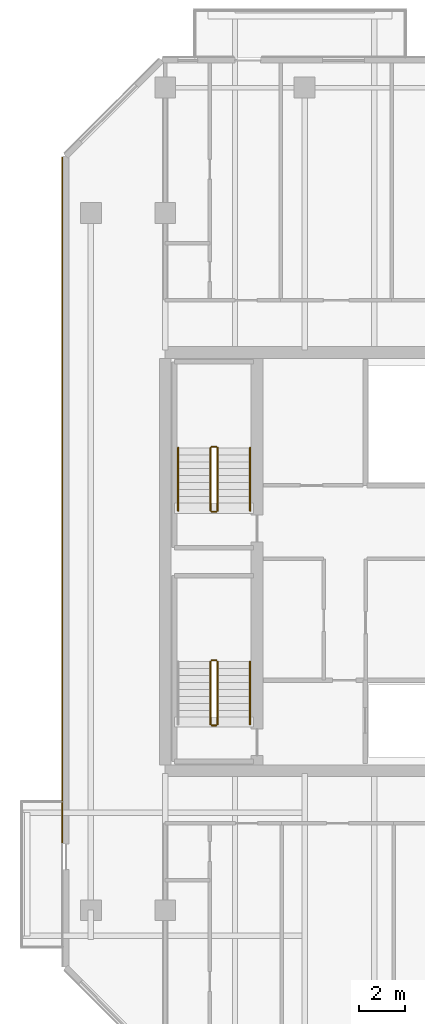
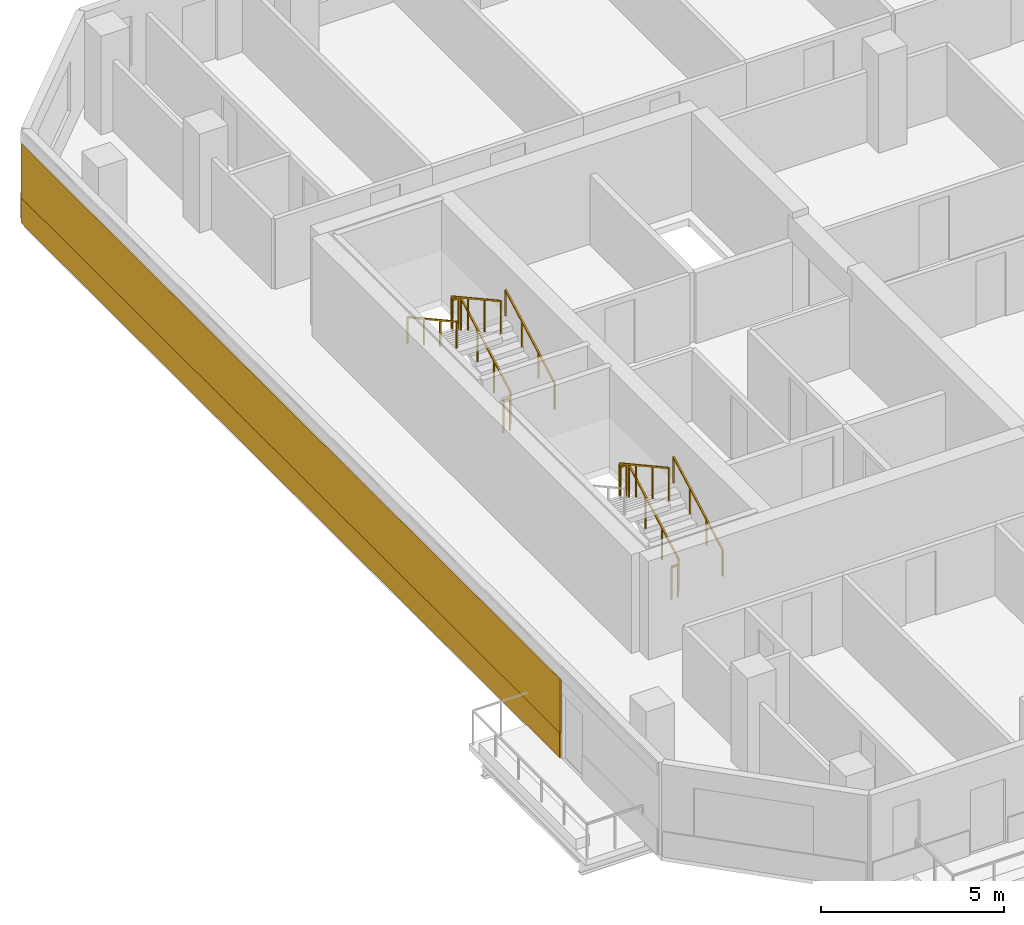
# One storey, part 17 of 19: 11 railings, 2 coverings.
"""IFC4 building model written with IfcOpenShell, lengths in metres."""

import ifcopenshell
import ifcopenshell.guid

model = None  # the IFC model being written
_history = None  # IfcOwnerHistory: only IFC2X3 demands one
_inside = {}  # id of a spatial element -> (the spatial element, [elements in it])
_under = {}  # id of a project, library or spatial element -> (it, [spatial elements below it])
_declared = {}  # id of a project -> (the project, [libraries it declares])
_typed = {}  # id of a type object -> (the type object, [elements of that type])
_made_of = {}  # id of a material, layer set ... -> (it, [elements and type objects made of it])


def new_model(schema):
    """Start an empty IFC model of exactly this schema.

    Asked for "IFC4X3", IfcOpenShell would pick the latest addendum, in which some entities
    have other attributes; the version numbers below select the first issue.
    IFC2X3 requires an IfcOwnerHistory on every rooted entity: one is made here for all.
    """
    global model, _history
    if schema == "IFC4X3":
        model = ifcopenshell.file(schema_version=(4, 3, 0, 0))
    else:
        model = ifcopenshell.file(schema=schema)
    _inside.clear()
    _under.clear()
    _declared.clear()
    _typed.clear()
    _made_of.clear()
    _history = None
    if model.schema == "IFC2X3":
        org = make("IfcOrganization", Name="unknown")
        user = make(
            "IfcPersonAndOrganization",
            ThePerson=make("IfcPerson", FamilyName="unknown"),
            TheOrganization=org,
        )
        app = make(
            "IfcApplication",
            ApplicationDeveloper=org,
            Version="unknown",
            ApplicationFullName="unknown",
            ApplicationIdentifier="unknown",
        )
        _history = make(
            "IfcOwnerHistory",
            OwningUser=user,
            OwningApplication=app,
            ChangeAction="ADDED",
            CreationDate=0,
        )
    return model


def make(cls, **values):
    """One entity of the class cls with the attributes given. An attribute that is None is left unset."""
    return model.create_entity(
        cls, **{name: value for name, value in values.items() if value is not None}
    )


def rooted(cls, **values):
    """An entity with a GlobalId (a new one), such as an element, a storey or a relation."""
    return make(cls, GlobalId=ifcopenshell.guid.new(), OwnerHistory=_history, **values)


def si_unit(unit_type, name, prefix=None):
    """IfcSIUnit, for example si_unit("LENGTHUNIT", "METRE", prefix="MILLI")."""
    return make("IfcSIUnit", UnitType=unit_type, Prefix=prefix, Name=name)


def assignment(units):
    """IfcUnitAssignment: the units of a project."""
    return None if units is None else make("IfcUnitAssignment", Units=units)


def point(xyz):
    """IfcCartesianPoint."""
    return None if xyz is None else make("IfcCartesianPoint", Coordinates=xyz)


def direction(xyz):
    """IfcDirection."""
    return None if xyz is None else make("IfcDirection", DirectionRatios=xyz)


def frame(location, z_axis=None, x_axis=None):
    """IfcAxis2Placement3D, a coordinate frame: its origin and axes. An axis left out is left unset."""
    return make(
        "IfcAxis2Placement3D",
        Location=point(location),
        Axis=direction(z_axis),
        RefDirection=direction(x_axis),
    )


def frame_2d(location, x_axis=None):
    """IfcAxis2Placement2D, a coordinate frame in the plane: its origin and x axis."""
    return make(
        "IfcAxis2Placement2D", Location=point(location), RefDirection=direction(x_axis)
    )


def origin():
    """The frame at (0, 0, 0) with its axes left unset."""
    return frame((0.0, 0.0, 0.0))


def origin_2d():
    """The frame at (0, 0) in the plane with its x axis left unset."""
    return frame_2d((0.0, 0.0))


def place(relative_to, where):
    """IfcLocalPlacement: puts the frame where relative to a parent placement (None: the world)."""
    return make(
        "IfcLocalPlacement", PlacementRelTo=relative_to, RelativePlacement=where
    )


def context(
    kind, dimensions, precision=None, world=None, true_north=None, identifier=None
):
    """IfcGeometricRepresentationContext, for example the 3D "Model" context."""
    return make(
        "IfcGeometricRepresentationContext",
        ContextIdentifier=identifier,
        ContextType=kind,
        CoordinateSpaceDimension=dimensions,
        Precision=precision,
        WorldCoordinateSystem=world,
        TrueNorth=true_north,
    )


def subcontext(parent, identifier, kind, view, scale=None):
    """IfcGeometricRepresentationSubContext, for example "Body" below "Model"."""
    return make(
        "IfcGeometricRepresentationSubContext",
        ContextIdentifier=identifier,
        ContextType=kind,
        ParentContext=parent,
        TargetScale=scale,
        TargetView=view,
    )


def project(units=None, contexts=None):
    """IfcProject with its units and contexts."""
    return rooted(
        "IfcProject",
        Name="project",
        RepresentationContexts=contexts,
        UnitsInContext=assignment(units),
    )


def spatial(cls, under=None, at=None, **own):
    """A site, building, storey or space (cls), placed at a placement, below another one or the project."""
    s = rooted(cls, ObjectPlacement=at, **own)
    if under is not None:
        _under.setdefault(under.id(), (under, []))[1].append(s)
    return s


def profile(cls, at=None, kind="AREA", **sizes):
    """A parametric profile (cls). Its sizes go by their IFC names, for example OverallWidth=200.0."""
    return make(cls, ProfileType=kind, Position=at, **sizes)


def rectangle(**sizes):
    """IfcRectangleProfileDef."""
    return profile("IfcRectangleProfileDef", **sizes)


def extrude(swept, where, along, depth):
    """IfcExtrudedAreaSolid: the profile swept, set in the frame where, extruded along a direction by depth."""
    return make(
        "IfcExtrudedAreaSolid",
        SweptArea=swept,
        Position=where,
        ExtrudedDirection=direction(along),
        Depth=depth,
    )


def shape(context_of_items, identifier, shape_type, items):
    """IfcShapeRepresentation: the items that make up one representation, for example the "Body"."""
    return make(
        "IfcShapeRepresentation",
        ContextOfItems=context_of_items,
        RepresentationIdentifier=identifier,
        RepresentationType=shape_type,
        Items=items,
    )


def material(Name=None, Category=None):
    """IfcMaterial."""
    return make("IfcMaterial", Name=Name, Category=Category)


def layer(
    of_material, thickness, ventilated=None, Name=None, Category=None, Priority=None
):
    """IfcMaterialLayer: one layer of a wall or slab, of a material (None: an air gap)."""
    return make(
        "IfcMaterialLayer",
        Material=of_material,
        LayerThickness=thickness,
        IsVentilated=ventilated,
        Name=Name,
        Category=Category,
        Priority=Priority,
    )


def layer_set(layers, Name=None):
    """IfcMaterialLayerSet."""
    return make("IfcMaterialLayerSet", MaterialLayers=layers, LayerSetName=Name)


def made_of(thing, what):
    """Note that an element or type object is made of a material, layer set ...; save() writes the relation."""
    if what is not None:
        _made_of.setdefault(what.id(), (what, []))[1].append(thing)
    return thing


def type_object(cls, material=None, **own):
    """A type object (cls), such as IfcWallType, which elements share."""
    return made_of(rooted(cls, **own), material)


def element(
    cls,
    number,
    at=None,
    inside=None,
    cuts=None,
    type_object=None,
    material=None,
    context=None,
    identifier="Body",
    shape_type=None,
    held_by="IfcProductDefinitionShape",
    body=None,
    shapes=None,
    **own,
):
    """One element of the class cls, such as IfcWall. Its Tag is "e" and its number.

    at: its placement. inside: the storey or other place that contains it. cuts: it is an
    opening in that element (IfcRelVoidsElement). A single representation is given by context,
    identifier, shape_type and body (its items); several are given by shapes. held_by: the class
    of the entity that holds the representations. save() writes the other relations.
    """
    e = rooted(cls, Tag="e%d" % number, ObjectPlacement=at, **own)
    if body is not None:
        shapes = [shape(context, identifier, shape_type, body)]
    if shapes is not None:
        e.Representation = make(held_by, Representations=shapes)
    if inside is not None:
        _inside.setdefault(inside.id(), (inside, []))[1].append(e)
    if cuts is not None:
        rooted(
            "IfcRelVoidsElement", RelatingBuildingElement=cuts, RelatedOpeningElement=e
        )
    if type_object is not None:
        _typed.setdefault(type_object.id(), (type_object, []))[1].append(e)
    return made_of(e, material)


def aggregate(whole, parts):
    """IfcRelAggregates: a whole, such as a stair, and the parts it consists of."""
    return rooted("IfcRelAggregates", RelatingObject=whole, RelatedObjects=parts)


def save(model, path):
    """Write the relations noted so far, then the file.

    IfcRelAggregates (storeys below a building ...), IfcRelContainedInSpatialStructure (elements
    in a storey), IfcRelDefinesByType, IfcRelAssociatesMaterial and IfcRelDeclares: one each for
    every whole, place, type object, material and project.
    """
    for whole, parts in _under.values():
        aggregate(whole, parts)
    for where, things in _inside.values():
        rooted(
            "IfcRelContainedInSpatialStructure",
            RelatedElements=things,
            RelatingStructure=where,
        )
    for kind, things in _typed.values():
        rooted("IfcRelDefinesByType", RelatedObjects=things, RelatingType=kind)
    for what, things in _made_of.values():
        rooted("IfcRelAssociatesMaterial", RelatedObjects=things, RelatingMaterial=what)
    for by, libraries in _declared.values():
        rooted("IfcRelDeclares", RelatingContext=by, RelatedDefinitions=libraries)
    model.write(path)


model = new_model("IFC4")

# Units and contexts
model_context = context("Model", 3, precision=1e-05, world=origin(), true_north=direction((0.0, 1.0)))
body_context = subcontext(model_context, "Body", "Model", "MODEL_VIEW")
ifc_project = project(units=[si_unit("LENGTHUNIT", "METRE"), si_unit("AREAUNIT", "SQUARE_METRE"), si_unit("VOLUMEUNIT", "CUBIC_METRE"), si_unit("PLANEANGLEUNIT", "RADIAN"), si_unit("MASSUNIT", "GRAM", prefix="KILO")], contexts=[model_context])

# Site, building, storey
site_placement = place(None, origin())
site = spatial("IfcSite", under=ifc_project, at=site_placement, CompositionType="ELEMENT")
building_placement = place(site_placement, origin())
building = spatial("IfcBuilding", under=site, at=building_placement, Name="Tanjung Sevakor Pilgrim Tower", CompositionType="ELEMENT")
storey_placement = place(building_placement, frame((0.0, 0.0, 138.60009765625)))
storey = spatial("IfcBuildingStorey", under=building, at=storey_placement, Name="L38", CompositionType="ELEMENT", Elevation=138.60009765625)

# Coverings
ifc_material_1 = material(Name="Reconstructed Limestone Cladding", Category="masonry")
ifc_layer = layer(ifc_material_1, 0.044921875)
ifc_layer_set = layer_set([ifc_layer], Name="COV-CLAD-LIMESTONE")
covering_type = type_object("IfcCoveringType", Name="COV-CLAD-LIMESTONE", PredefinedType="CLADDING", material=ifc_layer_set)
covering_1_placement = place(storey_placement, frame((19.577392578125, 36.259033203125, 0.009765625), z_axis=(0.0, 0.0, 1.0), x_axis=(0.0, -1.0, 0.0)))
element("IfcCovering", 1, at=covering_1_placement, inside=storey, type_object=covering_type, Name="L38 Warm Limestone Sill Spandrel EW-L38-MAIN-15-1", PredefinedType="CLADDING", context=body_context, shape_type="SweptSolid", body=[
    extrude(rectangle(XDim=29.498291015625, YDim=0.044921875, at=origin_2d()), origin(), (0.0, 0.0, 1.0), 0.840087890625),
])
covering_2_placement = place(storey_placement, frame((19.577392578125, 36.254150390625, 0.849853515625), z_axis=(0.0, 0.0, 1.0), x_axis=(0.0, -1.0, 0.0)))
element("IfcCovering", 2, at=covering_2_placement, inside=storey, type_object=covering_type, Name="L38 Warm Limestone Pier Panel EW-L38-MAIN-15-1", PredefinedType="CLADDING", context=body_context, shape_type="SweptSolid", body=[
    extrude(rectangle(XDim=29.50830078125, YDim=0.044921875, at=origin_2d()), origin(), (0.0, 0.0, 1.0), 1.81005859375),
])

# Railings
ifc_material_2 = material(Name="Steel S355J2", Category="steel")
railing_type_1 = type_object("IfcRailingType", Name="RL-STAIR-GUARD", PredefinedType="GUARDRAIL", material=ifc_material_2)
railing_1_placement = place(storey_placement, frame((26.25, 26.60009765625, 0.164794921875)))
element("IfcRailing", 3, at=railing_1_placement, inside=storey, type_object=railing_type_1, Name="L38 TS-W1 stair guard 1", PredefinedType="GUARDRAIL", context=body_context, shape_type="SweptSolid", body=[
    extrude(rectangle(XDim=0.0479, YDim=0.0479), frame((0.0, 0.0, 1.076171875), z_axis=(0.0, 0.876197507361, 0.481952205197), x_axis=(-1.0, 0.0, 0.0)), (0.0, 0.0, 1.0), 3.08154296875),
    extrude(rectangle(XDim=0.042, YDim=0.042), origin(), (0.0, 0.0, 1.0), 1.052001953125),
    extrude(rectangle(XDim=0.042, YDim=0.042), frame((0.0, 0.89990234375, 0.4951171875)), (0.0, 0.0, 1.0), 1.052001953125),
    extrude(rectangle(XDim=0.042, YDim=0.042), frame((0.0, 1.800048828125, 0.989990234375)), (0.0, 0.0, 1.0), 1.052001953125),
    extrude(rectangle(XDim=0.042, YDim=0.042), frame((0.0, 2.699951171875, 1.485107421875)), (0.0, 0.0, 1.0), 1.052001953125),
])
railing_2_placement = place(storey_placement, frame((26.199951171875, 29.35009765625, 1.64990234375)))
element("IfcRailing", 4, at=railing_2_placement, inside=storey, type_object=railing_type_1, Name="L38 TS-W1 stair guard 2", PredefinedType="GUARDRAIL", context=body_context, shape_type="SweptSolid", body=[
    extrude(rectangle(XDim=0.0479, YDim=0.0479), frame((0.0, 0.0, 1.076171875), z_axis=(-1.0, 0.0, 0.0), x_axis=(0.0, -1.0, 0.0)), (0.0, 0.0, 1.0), 0.199951171875),
    extrude(rectangle(XDim=0.042, YDim=0.042), origin(), (0.0, 0.0, 1.0), 1.052001953125),
    extrude(rectangle(XDim=0.042, YDim=0.042), frame((-0.199951171875, 0.0, 0.0)), (0.0, 0.0, 1.0), 1.052001953125),
])
railing_3_placement = place(storey_placement, frame((25.949951171875, 29.300048828125, 1.81494140625)))
element("IfcRailing", 5, at=railing_3_placement, inside=storey, type_object=railing_type_1, Name="L38 TS-W1 stair guard 3", PredefinedType="GUARDRAIL", context=body_context, shape_type="SweptSolid", body=[
    extrude(rectangle(XDim=0.0479, YDim=0.0479), frame((0.0, 0.0, 1.076171875), z_axis=(0.0, -0.876230963923, 0.481891375584), x_axis=(1.0, 0.0, 0.0)), (0.0, 0.0, 1.0), 3.081298828125),
    extrude(rectangle(XDim=0.042, YDim=0.042), origin(), (0.0, 0.0, 1.0), 1.052001953125),
    extrude(rectangle(XDim=0.042, YDim=0.042), frame((0.0, -0.89990234375, 0.494873046875)), (0.0, 0.0, 1.0), 1.052001953125),
    extrude(rectangle(XDim=0.042, YDim=0.042), frame((0.0, -1.800048828125, 0.989990234375)), (0.0, 0.0, 1.0), 1.052001953125),
    extrude(rectangle(XDim=0.042, YDim=0.042), frame((0.0, -2.699951171875, 1.48486328125)), (0.0, 0.0, 1.0), 1.052001953125),
])
railing_4_placement = place(storey_placement, frame((26.199951171875, 26.550048828125, 0.0)))
element("IfcRailing", 6, at=railing_4_placement, inside=storey, type_object=railing_type_1, Name="L38 TS-W1 stair guard 4", PredefinedType="GUARDRAIL", context=body_context, shape_type="SweptSolid", body=[
    extrude(rectangle(XDim=0.0479, YDim=0.0479), frame((0.0, 0.0, 1.076171875), z_axis=(-1.0, 0.0, 0.0), x_axis=(0.0, -1.0, 0.0)), (0.0, 0.0, 1.0), 0.199951171875),
    extrude(rectangle(XDim=0.042, YDim=0.042), origin(), (0.0, 0.0, 1.0), 1.052001953125),
    extrude(rectangle(XDim=0.042, YDim=0.042), frame((-0.199951171875, 0.0, 0.0)), (0.0, 0.0, 1.0), 1.052001953125),
])
railing_5_placement = place(storey_placement, frame((26.25, 35.800048828125, 0.164794921875)))
element("IfcRailing", 7, at=railing_5_placement, inside=storey, type_object=railing_type_1, Name="L38 TS-W2 stair guard 1", PredefinedType="GUARDRAIL", context=body_context, shape_type="SweptSolid", body=[
    extrude(rectangle(XDim=0.0479, YDim=0.0479), frame((0.0, 0.0, 1.076171875), z_axis=(0.0, 0.876197507361, 0.481952205197), x_axis=(-1.0, 0.0, 0.0)), (0.0, 0.0, 1.0), 3.08154296875),
    extrude(rectangle(XDim=0.042, YDim=0.042), origin(), (0.0, 0.0, 1.0), 1.052001953125),
    extrude(rectangle(XDim=0.042, YDim=0.042), frame((0.0, 0.89990234375, 0.4951171875)), (0.0, 0.0, 1.0), 1.052001953125),
    extrude(rectangle(XDim=0.042, YDim=0.042), frame((0.0, 1.800048828125, 0.989990234375)), (0.0, 0.0, 1.0), 1.052001953125),
    extrude(rectangle(XDim=0.042, YDim=0.042), frame((0.0, 2.699951171875, 1.485107421875)), (0.0, 0.0, 1.0), 1.052001953125),
])
railing_6_placement = place(storey_placement, frame((26.199951171875, 38.550048828125, 1.64990234375)))
element("IfcRailing", 8, at=railing_6_placement, inside=storey, type_object=railing_type_1, Name="L38 TS-W2 stair guard 2", PredefinedType="GUARDRAIL", context=body_context, shape_type="SweptSolid", body=[
    extrude(rectangle(XDim=0.0479, YDim=0.0479), frame((0.0, 0.0, 1.076171875), z_axis=(-1.0, 0.0, 0.0), x_axis=(0.0, -1.0, 0.0)), (0.0, 0.0, 1.0), 0.199951171875),
    extrude(rectangle(XDim=0.042, YDim=0.042), origin(), (0.0, 0.0, 1.0), 1.052001953125),
    extrude(rectangle(XDim=0.042, YDim=0.042), frame((-0.199951171875, 0.0, 0.0)), (0.0, 0.0, 1.0), 1.052001953125),
])
railing_7_placement = place(storey_placement, frame((25.949951171875, 38.5, 1.81494140625)))
element("IfcRailing", 9, at=railing_7_placement, inside=storey, type_object=railing_type_1, Name="L38 TS-W2 stair guard 3", PredefinedType="GUARDRAIL", context=body_context, shape_type="SweptSolid", body=[
    extrude(rectangle(XDim=0.0479, YDim=0.0479), frame((0.0, 0.0, 1.076171875), z_axis=(0.0, -0.876230963923, 0.481891375584), x_axis=(1.0, 0.0, 0.0)), (0.0, 0.0, 1.0), 3.081298828125),
    extrude(rectangle(XDim=0.042, YDim=0.042), origin(), (0.0, 0.0, 1.0), 1.052001953125),
    extrude(rectangle(XDim=0.042, YDim=0.042), frame((0.0, -0.89990234375, 0.494873046875)), (0.0, 0.0, 1.0), 1.052001953125),
    extrude(rectangle(XDim=0.042, YDim=0.042), frame((0.0, -1.800048828125, 0.989990234375)), (0.0, 0.0, 1.0), 1.052001953125),
    extrude(rectangle(XDim=0.042, YDim=0.042), frame((0.0, -2.699951171875, 1.48486328125)), (0.0, 0.0, 1.0), 1.052001953125),
])
railing_8_placement = place(storey_placement, frame((26.199951171875, 35.75, 0.0)))
element("IfcRailing", 10, at=railing_8_placement, inside=storey, type_object=railing_type_1, Name="L38 TS-W2 stair guard 4", PredefinedType="GUARDRAIL", context=body_context, shape_type="SweptSolid", body=[
    extrude(rectangle(XDim=0.0479, YDim=0.0479), frame((0.0, 0.0, 1.076171875), z_axis=(-1.0, 0.0, 0.0), x_axis=(0.0, -1.0, 0.0)), (0.0, 0.0, 1.0), 0.199951171875),
    extrude(rectangle(XDim=0.042, YDim=0.042), origin(), (0.0, 0.0, 1.0), 1.052001953125),
    extrude(rectangle(XDim=0.042, YDim=0.042), frame((-0.199951171875, 0.0, 0.0)), (0.0, 0.0, 1.0), 1.052001953125),
])
ifc_material_3 = material(Name="Steel S355J2", Category="steel")
railing_type_2 = type_object("IfcRailingType", Name="RL-STAIR-HAND", PredefinedType="HANDRAIL", material=ifc_material_3)
for number, where, name in (
    (11, (27.64990234375, 26.60009765625, 0.164794921875), "L38 TS-W1 stair handrail 1"),
    (12, (27.64990234375, 35.800048828125, 0.164794921875), "L38 TS-W2 stair handrail 1"),
):
    element("IfcRailing", number, at=place(storey_placement, frame(where)), inside=storey, type_object=railing_type_2, Name=name, PredefinedType="HANDRAIL", context=body_context, shape_type="SweptSolid", body=[
        extrude(rectangle(XDim=0.0479, YDim=0.0479), frame((0.0, 0.0, 0.8759765625), z_axis=(0.0, 0.876197507361, 0.481952205197), x_axis=(-1.0, 0.0, 0.0)), (0.0, 0.0, 1.0), 3.08154296875),
        extrude(rectangle(XDim=0.042, YDim=0.042), origin(), (0.0, 0.0, 1.0), 0.851806640625),
        extrude(rectangle(XDim=0.042, YDim=0.042), frame((0.0, 0.89990234375, 0.4951171875)), (0.0, 0.0, 1.0), 0.851806640625),
        extrude(rectangle(XDim=0.042, YDim=0.042), frame((0.0, 1.800048828125, 0.989990234375)), (0.0, 0.0, 1.0), 0.851806640625),
        extrude(rectangle(XDim=0.042, YDim=0.042), frame((0.0, 2.699951171875, 1.485107421875)), (0.0, 0.0, 1.0), 0.851806640625),
    ])
railing_9_placement = place(storey_placement, frame((24.550048828125, 38.5, 1.81494140625)))
element("IfcRailing", 13, at=railing_9_placement, inside=storey, type_object=railing_type_2, Name="L38 TS-W2 stair handrail 2", PredefinedType="HANDRAIL", context=body_context, shape_type="SweptSolid", body=[
    extrude(rectangle(XDim=0.0479, YDim=0.0479), frame((0.0, 0.0, 0.8759765625), z_axis=(0.0, -0.876230963923, 0.481891375584), x_axis=(1.0, 0.0, 0.0)), (0.0, 0.0, 1.0), 3.081298828125),
    extrude(rectangle(XDim=0.042, YDim=0.042), origin(), (0.0, 0.0, 1.0), 0.851806640625),
    extrude(rectangle(XDim=0.042, YDim=0.042), frame((0.0, -0.89990234375, 0.494873046875)), (0.0, 0.0, 1.0), 0.851806640625),
    extrude(rectangle(XDim=0.042, YDim=0.042), frame((0.0, -1.800048828125, 0.989990234375)), (0.0, 0.0, 1.0), 0.851806640625),
    extrude(rectangle(XDim=0.042, YDim=0.042), frame((0.0, -2.699951171875, 1.48486328125)), (0.0, 0.0, 1.0), 0.851806640625),
])

save(model, "model.ifc")
